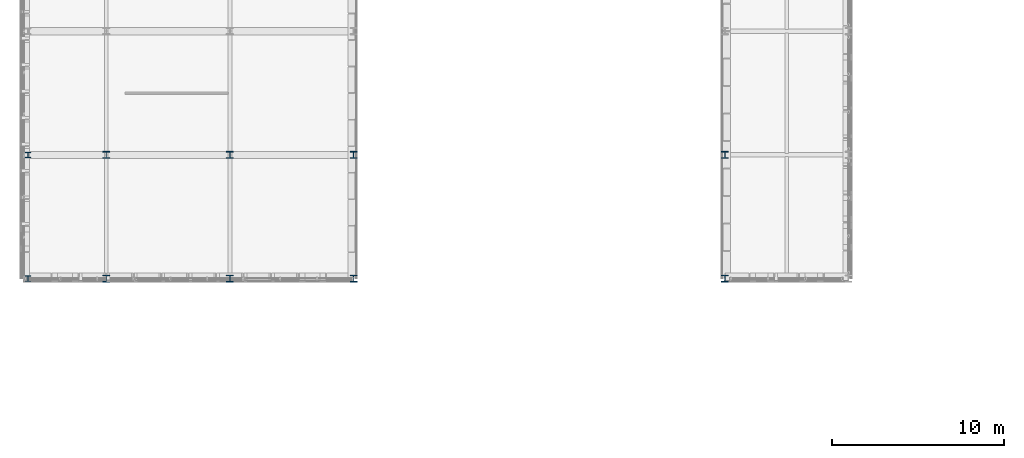
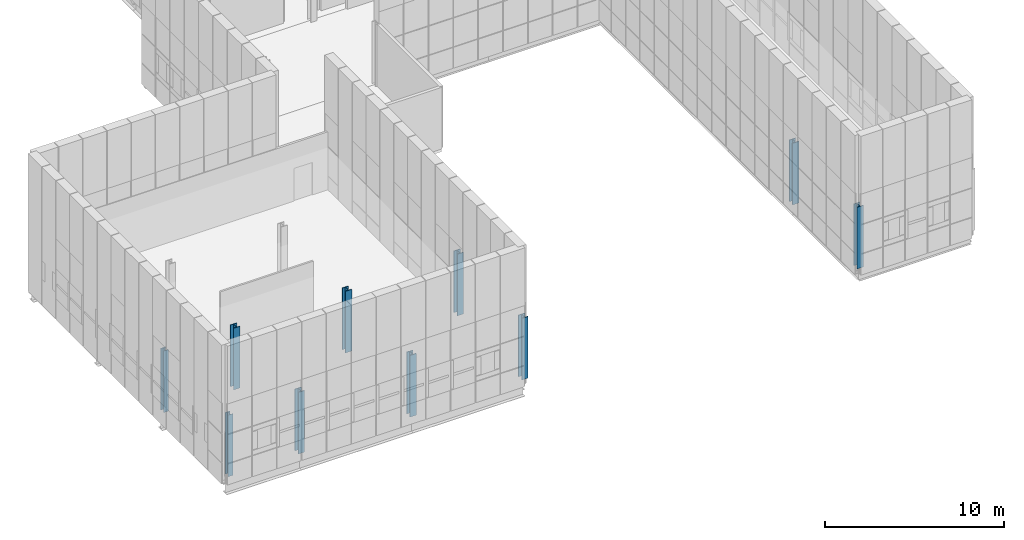
# One storey, part 1 of 144: 10 columns.
"""IFC4 building model written with IfcOpenShell, lengths in metres."""

from ifc_helpers import new_model, si_unit, direction, frame, origin, origin_2d, place, context, subcontext, project, spatial, i_section, extrude, material, material_profile, profile_set, type_object, element, save


model = new_model("IFC4")

# Units and contexts
model_context = context("Model", 3, precision=1e-05, world=origin(), true_north=direction((0.0, 1.0)))
body_context = subcontext(model_context, "Body", "Model", "MODEL_VIEW")
ifc_project = project(units=[si_unit("LENGTHUNIT", "METRE"), si_unit("AREAUNIT", "SQUARE_METRE"), si_unit("VOLUMEUNIT", "CUBIC_METRE"), si_unit("PLANEANGLEUNIT", "RADIAN"), si_unit("MASSUNIT", "GRAM", prefix="KILO")], contexts=[model_context])

# Site, building, storey
site_placement = place(None, origin())
site = spatial("IfcSite", under=ifc_project, at=site_placement, CompositionType="ELEMENT")
building_placement = place(site_placement, origin())
building = spatial("IfcBuilding", under=site, at=building_placement, Name="Yarey Park Central Fire Station", CompositionType="ELEMENT")
storey_placement = place(building_placement, frame((0.0, 0.0, 10.199951171875)))
storey = spatial("IfcBuildingStorey", under=building, at=storey_placement, Name="L03", CompositionType="ELEMENT", Elevation=10.199951171875)

# Columns
ifc_material = material(Name="Steel ASTM A992 Gr. 50", Category="steel")
ifc_material_profile_1 = material_profile(ifc_material, i_section(OverallWidth=0.30908203125, OverallDepth=0.322998046875, WebThickness=0.013916015625, FlangeThickness=0.02294921875, at=origin_2d()), Name="W310x143")
ifc_profile_set_1 = profile_set([ifc_material_profile_1], Name="Steel ASTM A992 Gr. 50")
column_type_1 = type_object("IfcColumnType", Name="STR_COL_W310_EXT", PredefinedType="COLUMN", material=ifc_profile_set_1)
for number, where, z_axis, x_axis, name in (
    (1, (9.85009765625, 21.60009765625, 0.0), (0.0, 0.0, 1.0), (1.0, 0.0, 0.0), "COL_L03_NOSE_Y216"),
    (2, (9.85009765625, 28.800048828125, 0.0), (0.0, 0.0, 1.0), (1.0, 0.0, 0.0), "COL_L03_NOSE_Y288"),
):
    element("IfcColumn", number, at=place(storey_placement, frame(where, z_axis=z_axis, x_axis=x_axis)), inside=storey, type_object=column_type_1, Name=name, PredefinedType="COLUMN", context=body_context, shape_type="SweptSolid", body=[
        extrude(i_section(OverallWidth=0.30908203125, OverallDepth=0.322998046875, WebThickness=0.013916015625, FlangeThickness=0.02294921875, at=origin_2d()), origin(), (0.0, 0.0, 1.0), 4.199951171875),
    ])
ifc_material_profile_2 = material_profile(ifc_material, i_section(OverallWidth=0.404052734375, OverallDepth=0.406982421875, WebThickness=0.027099609375, FlangeThickness=0.043701171875, at=origin_2d()), Name="W360x347")
ifc_profile_set_2 = profile_set([ifc_material_profile_2], Name="Steel ASTM A992 Gr. 50")
column_type_2 = type_object("IfcColumnType", Name="STR_COL_W360_EXT", PredefinedType="COLUMN", material=ifc_profile_set_2)
for number, where, z_axis, x_axis, name in (
    (3, (14.39990234375, 21.60009765625, 0.0), (0.0, 0.0, 1.0), (1.0, 0.0, 0.0), "COL_L03_X144_Y216"),
    (4, (14.39990234375, 28.800048828125, 0.0), (0.0, 0.0, 1.0), (1.0, 0.0, 0.0), "COL_L03_X144_Y288"),
    (5, (21.60009765625, 21.60009765625, 0.0), (0.0, 0.0, 1.0), (1.0, 0.0, 0.0), "COL_L03_X216_Y216"),
    (6, (28.800048828125, 21.60009765625, 0.0), (0.0, 0.0, 1.0), (1.0, 0.0, 0.0), "COL_L03_X288_Y216"),
    (7, (50.39990234375, 21.60009765625, 0.0), (0.0, 0.0, 1.0), (1.0, 0.0, 0.0), "COL_L03_X504_Y216"),
):
    element("IfcColumn", number, at=place(storey_placement, frame(where, z_axis=z_axis, x_axis=x_axis)), inside=storey, type_object=column_type_2, Name=name, PredefinedType="COLUMN", context=body_context, shape_type="SweptSolid", body=[
        extrude(i_section(OverallWidth=0.404052734375, OverallDepth=0.406982421875, WebThickness=0.027099609375, FlangeThickness=0.043701171875, at=origin_2d()), origin(), (0.0, 0.0, 1.0), 4.199951171875),
    ])
ifc_material_profile_3 = material_profile(ifc_material, i_section(OverallWidth=0.404052734375, OverallDepth=0.406982421875, WebThickness=0.027099609375, FlangeThickness=0.043701171875, at=origin_2d()), Name="W360x347")
ifc_profile_set_3 = profile_set([ifc_material_profile_3], Name="Steel ASTM A992 Gr. 50")
column_type_3 = type_object("IfcColumnType", Name="STR_COL_W360_INT", PredefinedType="COLUMN", material=ifc_profile_set_3)
for number, where, z_axis, x_axis, name in (
    (8, (21.60009765625, 28.800048828125, 0.0), (0.0, 0.0, 1.0), (1.0, 0.0, 0.0), "COL_L03_X216_Y288"),
    (9, (28.800048828125, 28.800048828125, 0.0), (0.0, 0.0, 1.0), (1.0, 0.0, 0.0), "COL_L03_X288_Y288"),
    (10, (50.39990234375, 28.800048828125, 0.0), (0.0, 0.0, 1.0), (1.0, 0.0, 0.0), "COL_L03_X504_Y288"),
):
    element("IfcColumn", number, at=place(storey_placement, frame(where, z_axis=z_axis, x_axis=x_axis)), inside=storey, type_object=column_type_3, Name=name, PredefinedType="COLUMN", context=body_context, shape_type="SweptSolid", body=[
        extrude(i_section(OverallWidth=0.404052734375, OverallDepth=0.406982421875, WebThickness=0.027099609375, FlangeThickness=0.043701171875, at=origin_2d()), origin(), (0.0, 0.0, 1.0), 4.199951171875),
    ])

save(model, "model.ifc")
